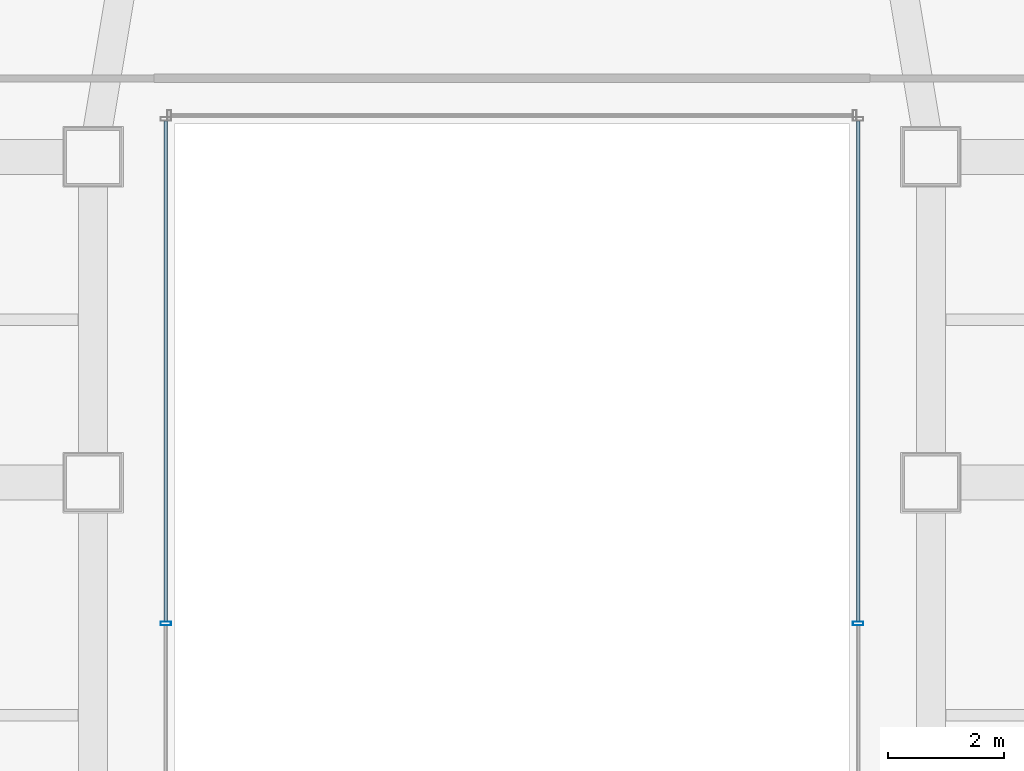
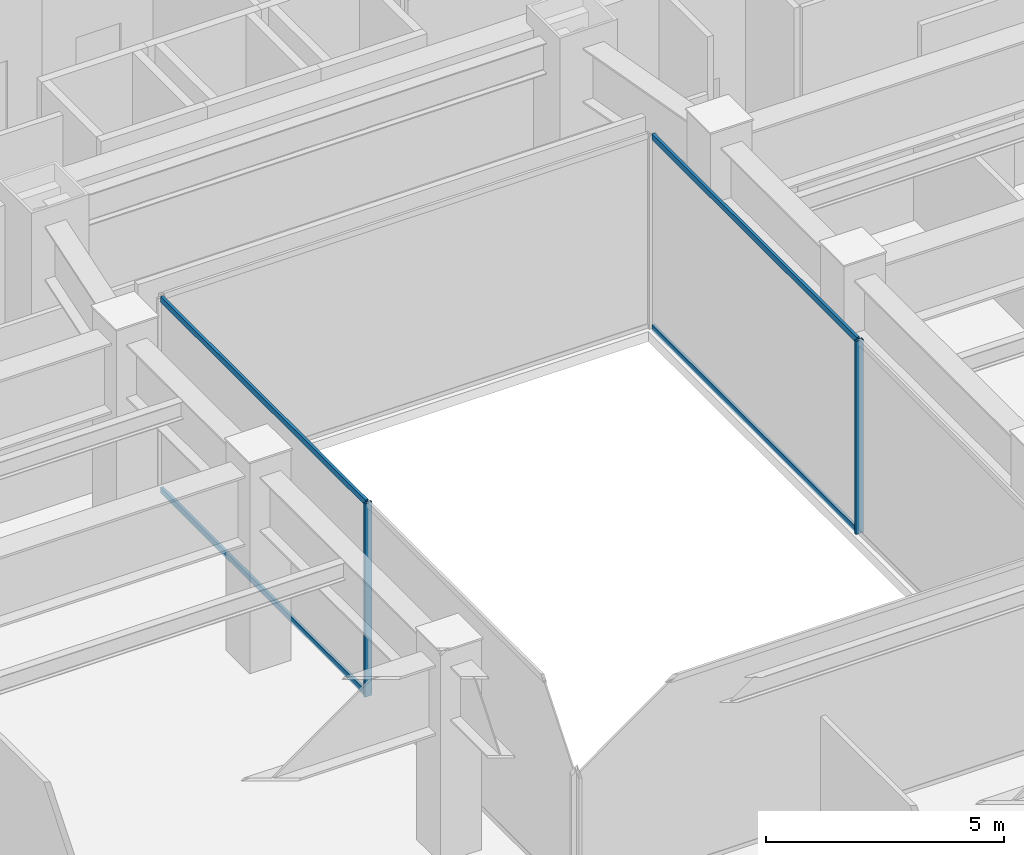
# One storey, part 18 of 42: 6 members, 2 elements without a shape of their own.
"""IFC4 building model written with IfcOpenShell, lengths in metres."""

from ifc_helpers import new_model, si_unit, direction, frame, origin, origin_2d, place, context, subcontext, project, spatial, hollow_rectangle, extrude, material, material_profile, profile_set, type_object, element, aggregate, save


model = new_model("IFC4")

# Units and contexts
model_context = context("Model", 3, precision=1e-05, world=origin(), true_north=direction((0.0, 1.0)))
body_context = subcontext(model_context, "Body", "Model", "MODEL_VIEW")
ifc_project = project(units=[si_unit("LENGTHUNIT", "METRE"), si_unit("AREAUNIT", "SQUARE_METRE"), si_unit("VOLUMEUNIT", "CUBIC_METRE"), si_unit("PLANEANGLEUNIT", "RADIAN"), si_unit("MASSUNIT", "GRAM", prefix="KILO")], contexts=[model_context])

# Site, building, storey
site_placement = place(None, origin())
site = spatial("IfcSite", under=ifc_project, at=site_placement, CompositionType="ELEMENT")
building_placement = place(site_placement, origin())
building = spatial("IfcBuilding", under=site, at=building_placement, Name="Saevonmaru Cultural Tower", CompositionType="ELEMENT")
storey_placement = place(building_placement, frame((0.0, 0.0, 33.0)))
storey = spatial("IfcBuildingStorey", under=building, at=storey_placement, Name="L06", CompositionType="ELEMENT", Elevation=33.0)

# Curtain wall, member
ifc_material = material(Name="Satin Bronze Anodised Aluminium", Category="aluminium")
curtain_wall_type = type_object("IfcCurtainWallType", Name="CW-ATR-GLZ", PredefinedType="NOTDEFINED", material=ifc_material)
curtain_wall_1_placement = place(storey_placement, origin())
curtain_wall_1 = element("IfcCurtainWall", 1, at=curtain_wall_1_placement, inside=storey, type_object=curtain_wall_type, Name="L06 Vertical Atrium Glazed Smoke Screen 2", PredefinedType="NOTDEFINED")
ifc_material_profile_1 = material_profile(ifc_material, hollow_rectangle(XDim=0.06494140625, YDim=0.179931640625, WallThickness=0.00390625, at=origin_2d()), Name="ALU-MULL-180x65x4")
ifc_profile_set_1 = profile_set([ifc_material_profile_1], Name="Satin Bronze Anodised Aluminium")
member_type_1 = type_object("IfcMemberType", Name="ML-CW-INT-180x65", PredefinedType="MULLION", material=ifc_profile_set_1)
member_1_placement = place(storey_placement, frame((35.949951171875, 29.580078125, 0.0), z_axis=(0.0, 0.0, 1.0), x_axis=(0.0, 1.0, 0.0)))
member_1 = element("IfcMember", 2, at=member_1_placement, type_object=member_type_1, Name="CW-ATR-L06-2 mullion 2", PredefinedType="MULLION", context=body_context, shape_type="SweptSolid", body=[
    extrude(hollow_rectangle(XDim=0.06494140625, YDim=0.179931640625, WallThickness=0.00390625, at=origin_2d()), origin(), (0.0, 0.0, 1.0), 4.949951171875),
])

curtain_wall_2_placement = place(storey_placement, origin())
curtain_wall_2 = element("IfcCurtainWall", 3, at=curtain_wall_2_placement, inside=storey, type_object=curtain_wall_type, Name="L06 Vertical Atrium Glazed Smoke Screen 4", PredefinedType="NOTDEFINED")
member_2_placement = place(storey_placement, frame((24.050048828125, 29.580078125, 0.0), z_axis=(0.0, 0.0, 1.0), x_axis=(0.0, -1.0, 0.0)))
member_2 = element("IfcMember", 4, at=member_2_placement, type_object=member_type_1, Name="CW-ATR-L06-4 mullion 2", PredefinedType="MULLION", context=body_context, shape_type="SweptSolid", body=[
    extrude(hollow_rectangle(XDim=0.06494140625, YDim=0.179931640625, WallThickness=0.00390625, at=origin_2d()), origin(), (0.0, 0.0, 1.0), 4.949951171875),
])

# Member
ifc_material_profile_2 = material_profile(ifc_material, hollow_rectangle(XDim=0.06494140625, YDim=0.14990234375, WallThickness=0.00390625, at=origin_2d()), Name="ALU-TRAN-150x65x4")
ifc_profile_set_2 = profile_set([ifc_material_profile_2], Name="Satin Bronze Anodised Aluminium")
member_type_2 = type_object("IfcMemberType", Name="TR-CW-INT-150x65", PredefinedType="USERDEFINED", material=ifc_profile_set_2)
member_3_placement = place(storey_placement, frame((35.949951171875, 29.612548828125, 0.032470703125), z_axis=(0.0, 1.0, 0.0), x_axis=(-1.0, 0.0, 0.0)))
member_3 = element("IfcMember", 5, at=member_3_placement, type_object=member_type_2, Name="CW-ATR-L06-2 transom 2.1", ObjectType="TRANSOM", PredefinedType="USERDEFINED", context=body_context, shape_type="SweptSolid", body=[
    extrude(hollow_rectangle(XDim=0.06494140625, YDim=0.14990234375, WallThickness=0.00390625, at=origin_2d()), origin(), (0.0, 0.0, 1.0), 8.60498046875),
])

member_4_placement = place(storey_placement, frame((35.949951171875, 29.612548828125, 4.91748046875), z_axis=(0.0, 1.0, 0.0), x_axis=(-1.0, 0.0, 0.0)))
member_4 = element("IfcMember", 6, at=member_4_placement, type_object=member_type_2, Name="CW-ATR-L06-2 transom 2.2", ObjectType="TRANSOM", PredefinedType="USERDEFINED", context=body_context, shape_type="SweptSolid", body=[
    extrude(hollow_rectangle(XDim=0.06494140625, YDim=0.14990234375, WallThickness=0.00390625, at=origin_2d()), origin(), (0.0, 0.0, 1.0), 8.60498046875),
])

aggregate(curtain_wall_1, [member_1, member_3, member_4])

member_5_placement = place(storey_placement, frame((24.050048828125, 38.217529296875, 0.032470703125), z_axis=(0.0, -1.0, 0.0), x_axis=(1.0, 0.0, 0.0)))
member_5 = element("IfcMember", 7, at=member_5_placement, type_object=member_type_2, Name="CW-ATR-L06-4 transom 1.1", ObjectType="TRANSOM", PredefinedType="USERDEFINED", context=body_context, shape_type="SweptSolid", body=[
    extrude(hollow_rectangle(XDim=0.06494140625, YDim=0.14990234375, WallThickness=0.00390625, at=origin_2d()), origin(), (0.0, 0.0, 1.0), 8.60498046875),
])

member_6_placement = place(storey_placement, frame((24.050048828125, 38.217529296875, 4.91748046875), z_axis=(0.0, -1.0, 0.0), x_axis=(1.0, 0.0, 0.0)))
member_6 = element("IfcMember", 8, at=member_6_placement, type_object=member_type_2, Name="CW-ATR-L06-4 transom 1.2", ObjectType="TRANSOM", PredefinedType="USERDEFINED", context=body_context, shape_type="SweptSolid", body=[
    extrude(hollow_rectangle(XDim=0.06494140625, YDim=0.14990234375, WallThickness=0.00390625, at=origin_2d()), origin(), (0.0, 0.0, 1.0), 8.60498046875),
])

aggregate(curtain_wall_2, [member_2, member_5, member_6])

save(model, "model.ifc")
